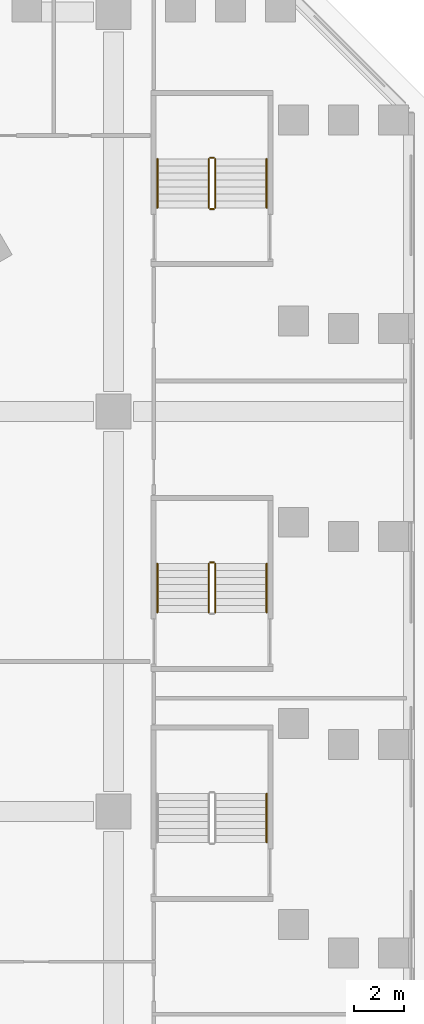
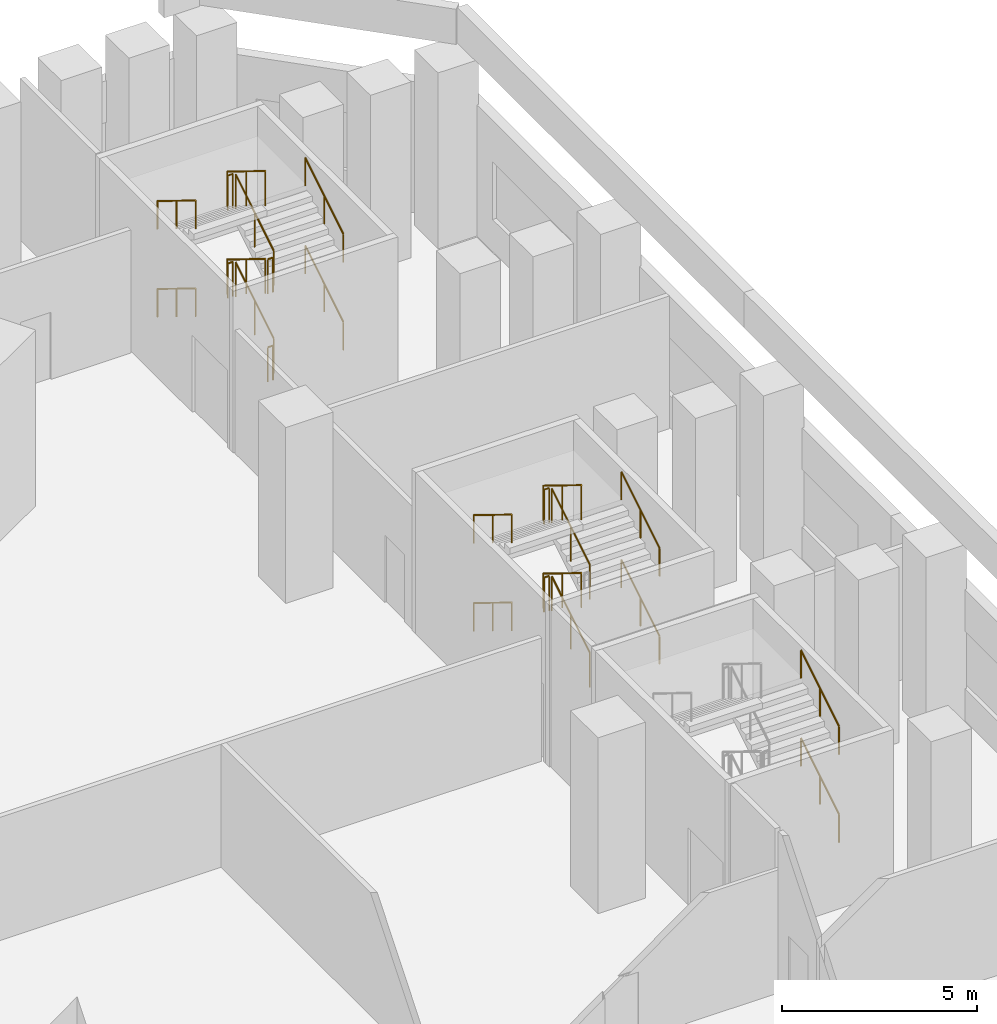
# One storey, part 22 of 22: 24 railings.
"""IFC4 building model written with IfcOpenShell, lengths in metres."""

from ifc_helpers import new_model, si_unit, direction, frame, origin, origin_2d, place, context, subcontext, project, spatial, circle, extrude, material, type_object, element, save


model = new_model("IFC4")

# Units and contexts
model_context = context("Model", 3, precision=1e-05, world=origin(), true_north=direction((0.0, 1.0)))
body_context = subcontext(model_context, "Body", "Model", "MODEL_VIEW")
ifc_project = project(units=[si_unit("LENGTHUNIT", "METRE"), si_unit("AREAUNIT", "SQUARE_METRE"), si_unit("VOLUMEUNIT", "CUBIC_METRE"), si_unit("PLANEANGLEUNIT", "RADIAN"), si_unit("MASSUNIT", "GRAM", prefix="KILO")], contexts=[model_context])

# Site, building, storey
site_placement = place(None, origin())
site = spatial("IfcSite", under=ifc_project, at=site_placement, CompositionType="ELEMENT")
building_placement = place(site_placement, origin())
building = spatial("IfcBuilding", under=site, at=building_placement, Name="Calabash Gate Tower", CompositionType="ELEMENT")
storey_placement = place(building_placement, frame((0.0, 0.0, 29.0)))
storey = spatial("IfcBuildingStorey", under=building, at=storey_placement, Name="L03", CompositionType="ELEMENT", Elevation=29.0)

# Railings
ifc_material_1 = material(Name="Black powder-coated steel balusters", Category="steel")
railing_type_1 = type_object("IfcRailingType", Name="Stair guard RL1100", PredefinedType="GUARDRAIL", material=ifc_material_1)
railing_1_placement = place(storey_placement, frame((36.06005859375, -0.0400390625, 0.171875)))
element("IfcRailing", 1, at=railing_1_placement, inside=storey, type_object=railing_type_1, Name="L03 PS9 stair guard 1", PredefinedType="GUARDRAIL", context=body_context, shape_type="SweptSolid", body=[
    extrude(circle(Radius=0.02392578125, at=origin_2d()), frame((0.0, 0.0, 1.076171875), z_axis=(0.0, 0.851424364277, 0.524477408394), x_axis=(-1.0, 0.0, 0.0)), (0.0, 0.0, 1.0), 2.2939453125),
    extrude(circle(Radius=0.02099609375, at=origin_2d()), origin(), (0.0, 0.0, 1.0), 1.052001953125),
    extrude(circle(Radius=0.02099609375, at=origin_2d()), frame((0.0, 0.9765625, 0.6015625)), (0.0, 0.0, 1.0), 1.052001953125),
    extrude(circle(Radius=0.02099609375, at=origin_2d()), frame((0.0, 1.953125, 1.203125)), (0.0, 0.0, 1.0), 1.052001953125),
])
railing_2_placement = place(storey_placement, frame((36.010009765625, 1.962890625, 1.375)))
element("IfcRailing", 2, at=railing_2_placement, inside=storey, type_object=railing_type_1, Name="L03 PS9 stair guard 2", PredefinedType="GUARDRAIL", context=body_context, shape_type="SweptSolid", body=[
    extrude(circle(Radius=0.02392578125, at=origin_2d()), frame((0.0, 0.0, 1.076171875), z_axis=(-1.0, 0.0, 0.0), x_axis=(0.0, -1.0, 0.0)), (0.0, 0.0, 1.0), 0.14990234375),
    extrude(circle(Radius=0.02099609375, at=origin_2d()), origin(), (0.0, 0.0, 1.0), 1.052001953125),
    extrude(circle(Radius=0.02099609375, at=origin_2d()), frame((-0.14990234375, 0.0, 0.0)), (0.0, 0.0, 1.0), 1.052001953125),
])
railing_3_placement = place(storey_placement, frame((35.81005859375, 1.9130859375, 1.546875)))
element("IfcRailing", 3, at=railing_3_placement, inside=storey, type_object=railing_type_1, Name="L03 PS9 stair guard 3", PredefinedType="GUARDRAIL", context=body_context, shape_type="SweptSolid", body=[
    extrude(circle(Radius=0.02392578125, at=origin_2d()), frame((0.0, 0.0, 1.076171875), z_axis=(0.0, -0.851424364277, 0.524477408394), x_axis=(1.0, 0.0, 0.0)), (0.0, 0.0, 1.0), 2.2939453125),
    extrude(circle(Radius=0.02099609375, at=origin_2d()), origin(), (0.0, 0.0, 1.0), 1.052001953125),
    extrude(circle(Radius=0.02099609375, at=origin_2d()), frame((0.0, -0.9765625, 0.6015625)), (0.0, 0.0, 1.0), 1.052001953125),
    extrude(circle(Radius=0.02099609375, at=origin_2d()), frame((0.0, -1.953125, 1.203125)), (0.0, 0.0, 1.0), 1.052001953125),
])
railing_4_placement = place(storey_placement, frame((36.06005859375, -0.0400390625, 2.921875)))
element("IfcRailing", 4, at=railing_4_placement, inside=storey, type_object=railing_type_1, Name="L03 PS9 stair guard 5", PredefinedType="GUARDRAIL", context=body_context, shape_type="SweptSolid", body=[
    extrude(circle(Radius=0.02392578125, at=origin_2d()), frame((0.0, 0.0, 1.076171875), z_axis=(0.0, 0.851424364277, 0.524477408394), x_axis=(-1.0, 0.0, 0.0)), (0.0, 0.0, 1.0), 2.2939453125),
    extrude(circle(Radius=0.02099609375, at=origin_2d()), origin(), (0.0, 0.0, 1.0), 1.052001953125),
    extrude(circle(Radius=0.02099609375, at=origin_2d()), frame((0.0, 0.9765625, 0.6015625)), (0.0, 0.0, 1.0), 1.052001953125),
    extrude(circle(Radius=0.02099609375, at=origin_2d()), frame((0.0, 1.953125, 1.203125)), (0.0, 0.0, 1.0), 1.052001953125),
])
railing_5_placement = place(storey_placement, frame((36.010009765625, 1.962890625, 4.125)))
element("IfcRailing", 5, at=railing_5_placement, inside=storey, type_object=railing_type_1, Name="L03 PS9 stair guard 6", PredefinedType="GUARDRAIL", context=body_context, shape_type="SweptSolid", body=[
    extrude(circle(Radius=0.02392578125, at=origin_2d()), frame((0.0, 0.0, 1.076171875), z_axis=(-1.0, 0.0, 0.0), x_axis=(0.0, -1.0, 0.0)), (0.0, 0.0, 1.0), 0.14990234375),
    extrude(circle(Radius=0.02099609375, at=origin_2d()), origin(), (0.0, 0.0, 1.0), 1.052001953125),
    extrude(circle(Radius=0.02099609375, at=origin_2d()), frame((-0.14990234375, 0.0, 0.0)), (0.0, 0.0, 1.0), 1.052001953125),
])
railing_6_placement = place(storey_placement, frame((35.81005859375, 1.9130859375, 4.296875)))
element("IfcRailing", 6, at=railing_6_placement, inside=storey, type_object=railing_type_1, Name="L03 PS9 stair guard 7", PredefinedType="GUARDRAIL", context=body_context, shape_type="SweptSolid", body=[
    extrude(circle(Radius=0.02392578125, at=origin_2d()), frame((0.0, 0.0, 1.076171875), z_axis=(0.0, -0.851424364277, 0.524477408394), x_axis=(1.0, 0.0, 0.0)), (0.0, 0.0, 1.0), 2.2939453125),
    extrude(circle(Radius=0.02099609375, at=origin_2d()), origin(), (0.0, 0.0, 1.0), 1.052001953125),
    extrude(circle(Radius=0.02099609375, at=origin_2d()), frame((0.0, -0.9765625, 0.6015625)), (0.0, 0.0, 1.0), 1.052001953125),
    extrude(circle(Radius=0.02099609375, at=origin_2d()), frame((0.0, -1.953125, 1.203125)), (0.0, 0.0, 1.0), 1.052001953125),
])
railing_7_placement = place(storey_placement, frame((36.06005859375, 16.159912109375, 0.171875)))
element("IfcRailing", 7, at=railing_7_placement, inside=storey, type_object=railing_type_1, Name="L03 PS10 stair guard 1", PredefinedType="GUARDRAIL", context=body_context, shape_type="SweptSolid", body=[
    extrude(circle(Radius=0.02392578125, at=origin_2d()), frame((0.0, 0.0, 1.076171875), z_axis=(0.0, 0.851424364277, 0.524477408394), x_axis=(-1.0, 0.0, 0.0)), (0.0, 0.0, 1.0), 2.2939453125),
    extrude(circle(Radius=0.02099609375, at=origin_2d()), origin(), (0.0, 0.0, 1.0), 1.052001953125),
    extrude(circle(Radius=0.02099609375, at=origin_2d()), frame((0.0, 0.9765625, 0.6015625)), (0.0, 0.0, 1.0), 1.052001953125),
    extrude(circle(Radius=0.02099609375, at=origin_2d()), frame((0.0, 1.953125, 1.203125)), (0.0, 0.0, 1.0), 1.052001953125),
])
railing_8_placement = place(storey_placement, frame((36.010009765625, 18.1630859375, 1.375)))
element("IfcRailing", 8, at=railing_8_placement, inside=storey, type_object=railing_type_1, Name="L03 PS10 stair guard 2", PredefinedType="GUARDRAIL", context=body_context, shape_type="SweptSolid", body=[
    extrude(circle(Radius=0.02392578125, at=origin_2d()), frame((0.0, 0.0, 1.076171875), z_axis=(-1.0, 0.0, 0.0), x_axis=(0.0, -1.0, 0.0)), (0.0, 0.0, 1.0), 0.14990234375),
    extrude(circle(Radius=0.02099609375, at=origin_2d()), origin(), (0.0, 0.0, 1.0), 1.052001953125),
    extrude(circle(Radius=0.02099609375, at=origin_2d()), frame((-0.14990234375, 0.0, 0.0)), (0.0, 0.0, 1.0), 1.052001953125),
])
railing_9_placement = place(storey_placement, frame((35.81005859375, 18.113037109375, 1.546875)))
element("IfcRailing", 9, at=railing_9_placement, inside=storey, type_object=railing_type_1, Name="L03 PS10 stair guard 3", PredefinedType="GUARDRAIL", context=body_context, shape_type="SweptSolid", body=[
    extrude(circle(Radius=0.02392578125, at=origin_2d()), frame((0.0, 0.0, 1.076171875), z_axis=(0.0, -0.851424364277, 0.524477408394), x_axis=(1.0, 0.0, 0.0)), (0.0, 0.0, 1.0), 2.2939453125),
    extrude(circle(Radius=0.02099609375, at=origin_2d()), origin(), (0.0, 0.0, 1.0), 1.052001953125),
    extrude(circle(Radius=0.02099609375, at=origin_2d()), frame((0.0, -0.9765625, 0.6015625)), (0.0, 0.0, 1.0), 1.052001953125),
    extrude(circle(Radius=0.02099609375, at=origin_2d()), frame((0.0, -1.953125, 1.203125)), (0.0, 0.0, 1.0), 1.052001953125),
])
railing_10_placement = place(storey_placement, frame((36.010009765625, 16.110107421875, 2.75)))
element("IfcRailing", 10, at=railing_10_placement, inside=storey, type_object=railing_type_1, Name="L03 PS10 stair guard 4", PredefinedType="GUARDRAIL", context=body_context, shape_type="SweptSolid", body=[
    extrude(circle(Radius=0.02392578125, at=origin_2d()), frame((0.0, 0.0, 1.076171875), z_axis=(-1.0, 0.0, 0.0), x_axis=(0.0, -1.0, 0.0)), (0.0, 0.0, 1.0), 0.14990234375),
    extrude(circle(Radius=0.02099609375, at=origin_2d()), origin(), (0.0, 0.0, 1.0), 1.052001953125),
    extrude(circle(Radius=0.02099609375, at=origin_2d()), frame((-0.14990234375, 0.0, 0.0)), (0.0, 0.0, 1.0), 1.052001953125),
])
railing_11_placement = place(storey_placement, frame((36.06005859375, 16.159912109375, 2.921875)))
element("IfcRailing", 11, at=railing_11_placement, inside=storey, type_object=railing_type_1, Name="L03 PS10 stair guard 5", PredefinedType="GUARDRAIL", context=body_context, shape_type="SweptSolid", body=[
    extrude(circle(Radius=0.02392578125, at=origin_2d()), frame((0.0, 0.0, 1.076171875), z_axis=(0.0, 0.851424364277, 0.524477408394), x_axis=(-1.0, 0.0, 0.0)), (0.0, 0.0, 1.0), 2.2939453125),
    extrude(circle(Radius=0.02099609375, at=origin_2d()), origin(), (0.0, 0.0, 1.0), 1.052001953125),
    extrude(circle(Radius=0.02099609375, at=origin_2d()), frame((0.0, 0.9765625, 0.6015625)), (0.0, 0.0, 1.0), 1.052001953125),
    extrude(circle(Radius=0.02099609375, at=origin_2d()), frame((0.0, 1.953125, 1.203125)), (0.0, 0.0, 1.0), 1.052001953125),
])
railing_12_placement = place(storey_placement, frame((36.010009765625, 18.1630859375, 4.125)))
element("IfcRailing", 12, at=railing_12_placement, inside=storey, type_object=railing_type_1, Name="L03 PS10 stair guard 6", PredefinedType="GUARDRAIL", context=body_context, shape_type="SweptSolid", body=[
    extrude(circle(Radius=0.02392578125, at=origin_2d()), frame((0.0, 0.0, 1.076171875), z_axis=(-1.0, 0.0, 0.0), x_axis=(0.0, -1.0, 0.0)), (0.0, 0.0, 1.0), 0.14990234375),
    extrude(circle(Radius=0.02099609375, at=origin_2d()), origin(), (0.0, 0.0, 1.0), 1.052001953125),
    extrude(circle(Radius=0.02099609375, at=origin_2d()), frame((-0.14990234375, 0.0, 0.0)), (0.0, 0.0, 1.0), 1.052001953125),
])
railing_13_placement = place(storey_placement, frame((35.81005859375, 18.113037109375, 4.296875)))
element("IfcRailing", 13, at=railing_13_placement, inside=storey, type_object=railing_type_1, Name="L03 PS10 stair guard 7", PredefinedType="GUARDRAIL", context=body_context, shape_type="SweptSolid", body=[
    extrude(circle(Radius=0.02392578125, at=origin_2d()), frame((0.0, 0.0, 1.076171875), z_axis=(0.0, -0.851424364277, 0.524477408394), x_axis=(1.0, 0.0, 0.0)), (0.0, 0.0, 1.0), 2.2939453125),
    extrude(circle(Radius=0.02099609375, at=origin_2d()), origin(), (0.0, 0.0, 1.0), 1.052001953125),
    extrude(circle(Radius=0.02099609375, at=origin_2d()), frame((0.0, -0.9765625, 0.6015625)), (0.0, 0.0, 1.0), 1.052001953125),
    extrude(circle(Radius=0.02099609375, at=origin_2d()), frame((0.0, -1.953125, 1.203125)), (0.0, 0.0, 1.0), 1.052001953125),
])
railing_14_placement = place(storey_placement, frame((36.010009765625, 16.110107421875, 0.0)))
element("IfcRailing", 14, at=railing_14_placement, inside=storey, type_object=railing_type_1, Name="L03 PS10 stair guard 8", PredefinedType="GUARDRAIL", context=body_context, shape_type="SweptSolid", body=[
    extrude(circle(Radius=0.02392578125, at=origin_2d()), frame((0.0, 0.0, 1.076171875), z_axis=(-1.0, 0.0, 0.0), x_axis=(0.0, -1.0, 0.0)), (0.0, 0.0, 1.0), 0.14990234375),
    extrude(circle(Radius=0.02099609375, at=origin_2d()), origin(), (0.0, 0.0, 1.0), 1.052001953125),
    extrude(circle(Radius=0.02099609375, at=origin_2d()), frame((-0.14990234375, 0.0, 0.0)), (0.0, 0.0, 1.0), 1.052001953125),
])
ifc_material_2 = material(Name="Black powder-coated steel tube 48 mm", Category="steel")
railing_type_2 = type_object("IfcRailingType", Name="Stair handrail RL900", PredefinedType="HANDRAIL", material=ifc_material_2)
for number, where, name in (
    (15, (38.1201171875, -9.239990234375, 0.171875), "L03 PS8 stair handrail 1"),
    (16, (38.1201171875, -9.239990234375, 2.921875), "L03 PS8 stair handrail 3"),
):
    element("IfcRailing", number, at=place(storey_placement, frame(where)), inside=storey, type_object=railing_type_2, Name=name, PredefinedType="HANDRAIL", context=body_context, shape_type="SweptSolid", body=[
        extrude(circle(Radius=0.02392578125, at=origin_2d()), frame((0.0, 0.0, 0.8759765625), z_axis=(0.0, 0.851395084437, 0.52452493763), x_axis=(-1.0, 0.0, 0.0)), (0.0, 0.0, 1.0), 2.293701171875),
        extrude(circle(Radius=0.02099609375, at=origin_2d()), origin(), (0.0, 0.0, 1.0), 0.851806640625),
        extrude(circle(Radius=0.02099609375, at=origin_2d()), frame((0.0, 0.9765625, 0.6015625)), (0.0, 0.0, 1.0), 0.851806640625),
        extrude(circle(Radius=0.02099609375, at=origin_2d()), frame((0.0, 1.952880859375, 1.203125)), (0.0, 0.0, 1.0), 0.851806640625),
    ])
railing_15_placement = place(storey_placement, frame((38.1201171875, -0.0400390625, 0.171875)))
element("IfcRailing", 17, at=railing_15_placement, inside=storey, type_object=railing_type_2, Name="L03 PS9 stair handrail 1", PredefinedType="HANDRAIL", context=body_context, shape_type="SweptSolid", body=[
    extrude(circle(Radius=0.02392578125, at=origin_2d()), frame((0.0, 0.0, 0.8759765625), z_axis=(0.0, 0.851424364277, 0.524477408394), x_axis=(-1.0, 0.0, 0.0)), (0.0, 0.0, 1.0), 2.2939453125),
    extrude(circle(Radius=0.02099609375, at=origin_2d()), origin(), (0.0, 0.0, 1.0), 0.851806640625),
    extrude(circle(Radius=0.02099609375, at=origin_2d()), frame((0.0, 0.9765625, 0.6015625)), (0.0, 0.0, 1.0), 0.851806640625),
    extrude(circle(Radius=0.02099609375, at=origin_2d()), frame((0.0, 1.953125, 1.203125)), (0.0, 0.0, 1.0), 0.851806640625),
])
railing_16_placement = place(storey_placement, frame((33.75, 1.9130859375, 1.546875)))
element("IfcRailing", 18, at=railing_16_placement, inside=storey, type_object=railing_type_2, Name="L03 PS9 stair handrail 2", PredefinedType="HANDRAIL", context=body_context, shape_type="SweptSolid", body=[
    extrude(circle(Radius=0.02392578125, at=origin_2d()), frame((0.0, 0.0, 0.8759765625), z_axis=(0.0, -0.851424364277, 0.524477408394), x_axis=(1.0, 0.0, 0.0)), (0.0, 0.0, 1.0), 2.2939453125),
    extrude(circle(Radius=0.02099609375, at=origin_2d()), origin(), (0.0, 0.0, 1.0), 0.851806640625),
    extrude(circle(Radius=0.02099609375, at=origin_2d()), frame((0.0, -0.9765625, 0.6015625)), (0.0, 0.0, 1.0), 0.851806640625),
    extrude(circle(Radius=0.02099609375, at=origin_2d()), frame((0.0, -1.953125, 1.203125)), (0.0, 0.0, 1.0), 0.851806640625),
])
railing_17_placement = place(storey_placement, frame((38.1201171875, -0.0400390625, 2.921875)))
element("IfcRailing", 19, at=railing_17_placement, inside=storey, type_object=railing_type_2, Name="L03 PS9 stair handrail 3", PredefinedType="HANDRAIL", context=body_context, shape_type="SweptSolid", body=[
    extrude(circle(Radius=0.02392578125, at=origin_2d()), frame((0.0, 0.0, 0.8759765625), z_axis=(0.0, 0.851424364277, 0.524477408394), x_axis=(-1.0, 0.0, 0.0)), (0.0, 0.0, 1.0), 2.2939453125),
    extrude(circle(Radius=0.02099609375, at=origin_2d()), origin(), (0.0, 0.0, 1.0), 0.851806640625),
    extrude(circle(Radius=0.02099609375, at=origin_2d()), frame((0.0, 0.9765625, 0.6015625)), (0.0, 0.0, 1.0), 0.851806640625),
    extrude(circle(Radius=0.02099609375, at=origin_2d()), frame((0.0, 1.953125, 1.203125)), (0.0, 0.0, 1.0), 0.851806640625),
])
railing_18_placement = place(storey_placement, frame((33.75, 1.9130859375, 4.296875)))
element("IfcRailing", 20, at=railing_18_placement, inside=storey, type_object=railing_type_2, Name="L03 PS9 stair handrail 4", PredefinedType="HANDRAIL", context=body_context, shape_type="SweptSolid", body=[
    extrude(circle(Radius=0.02392578125, at=origin_2d()), frame((0.0, 0.0, 0.8759765625), z_axis=(0.0, -0.851424364277, 0.524477408394), x_axis=(1.0, 0.0, 0.0)), (0.0, 0.0, 1.0), 2.2939453125),
    extrude(circle(Radius=0.02099609375, at=origin_2d()), origin(), (0.0, 0.0, 1.0), 0.851806640625),
    extrude(circle(Radius=0.02099609375, at=origin_2d()), frame((0.0, -0.9765625, 0.6015625)), (0.0, 0.0, 1.0), 0.851806640625),
    extrude(circle(Radius=0.02099609375, at=origin_2d()), frame((0.0, -1.953125, 1.203125)), (0.0, 0.0, 1.0), 0.851806640625),
])
railing_19_placement = place(storey_placement, frame((38.1201171875, 16.159912109375, 0.171875)))
element("IfcRailing", 21, at=railing_19_placement, inside=storey, type_object=railing_type_2, Name="L03 PS10 stair handrail 1", PredefinedType="HANDRAIL", context=body_context, shape_type="SweptSolid", body=[
    extrude(circle(Radius=0.02392578125, at=origin_2d()), frame((0.0, 0.0, 0.8759765625), z_axis=(0.0, 0.851424364277, 0.524477408394), x_axis=(-1.0, 0.0, 0.0)), (0.0, 0.0, 1.0), 2.2939453125),
    extrude(circle(Radius=0.02099609375, at=origin_2d()), origin(), (0.0, 0.0, 1.0), 0.851806640625),
    extrude(circle(Radius=0.02099609375, at=origin_2d()), frame((0.0, 0.9765625, 0.6015625)), (0.0, 0.0, 1.0), 0.851806640625),
    extrude(circle(Radius=0.02099609375, at=origin_2d()), frame((0.0, 1.953125, 1.203125)), (0.0, 0.0, 1.0), 0.851806640625),
])
railing_20_placement = place(storey_placement, frame((33.75, 18.113037109375, 1.546875)))
element("IfcRailing", 22, at=railing_20_placement, inside=storey, type_object=railing_type_2, Name="L03 PS10 stair handrail 2", PredefinedType="HANDRAIL", context=body_context, shape_type="SweptSolid", body=[
    extrude(circle(Radius=0.02392578125, at=origin_2d()), frame((0.0, 0.0, 0.8759765625), z_axis=(0.0, -0.851424364277, 0.524477408394), x_axis=(1.0, 0.0, 0.0)), (0.0, 0.0, 1.0), 2.2939453125),
    extrude(circle(Radius=0.02099609375, at=origin_2d()), origin(), (0.0, 0.0, 1.0), 0.851806640625),
    extrude(circle(Radius=0.02099609375, at=origin_2d()), frame((0.0, -0.9765625, 0.6015625)), (0.0, 0.0, 1.0), 0.851806640625),
    extrude(circle(Radius=0.02099609375, at=origin_2d()), frame((0.0, -1.953125, 1.203125)), (0.0, 0.0, 1.0), 0.851806640625),
])
railing_21_placement = place(storey_placement, frame((38.1201171875, 16.159912109375, 2.921875)))
element("IfcRailing", 23, at=railing_21_placement, inside=storey, type_object=railing_type_2, Name="L03 PS10 stair handrail 3", PredefinedType="HANDRAIL", context=body_context, shape_type="SweptSolid", body=[
    extrude(circle(Radius=0.02392578125, at=origin_2d()), frame((0.0, 0.0, 0.8759765625), z_axis=(0.0, 0.851424364277, 0.524477408394), x_axis=(-1.0, 0.0, 0.0)), (0.0, 0.0, 1.0), 2.2939453125),
    extrude(circle(Radius=0.02099609375, at=origin_2d()), origin(), (0.0, 0.0, 1.0), 0.851806640625),
    extrude(circle(Radius=0.02099609375, at=origin_2d()), frame((0.0, 0.9765625, 0.6015625)), (0.0, 0.0, 1.0), 0.851806640625),
    extrude(circle(Radius=0.02099609375, at=origin_2d()), frame((0.0, 1.953125, 1.203125)), (0.0, 0.0, 1.0), 0.851806640625),
])
railing_22_placement = place(storey_placement, frame((33.75, 18.113037109375, 4.296875)))
element("IfcRailing", 24, at=railing_22_placement, inside=storey, type_object=railing_type_2, Name="L03 PS10 stair handrail 4", PredefinedType="HANDRAIL", context=body_context, shape_type="SweptSolid", body=[
    extrude(circle(Radius=0.02392578125, at=origin_2d()), frame((0.0, 0.0, 0.8759765625), z_axis=(0.0, -0.851424364277, 0.524477408394), x_axis=(1.0, 0.0, 0.0)), (0.0, 0.0, 1.0), 2.2939453125),
    extrude(circle(Radius=0.02099609375, at=origin_2d()), origin(), (0.0, 0.0, 1.0), 0.851806640625),
    extrude(circle(Radius=0.02099609375, at=origin_2d()), frame((0.0, -0.9765625, 0.6015625)), (0.0, 0.0, 1.0), 0.851806640625),
    extrude(circle(Radius=0.02099609375, at=origin_2d()), frame((0.0, -1.953125, 1.203125)), (0.0, 0.0, 1.0), 0.851806640625),
])

save(model, "model.ifc")
